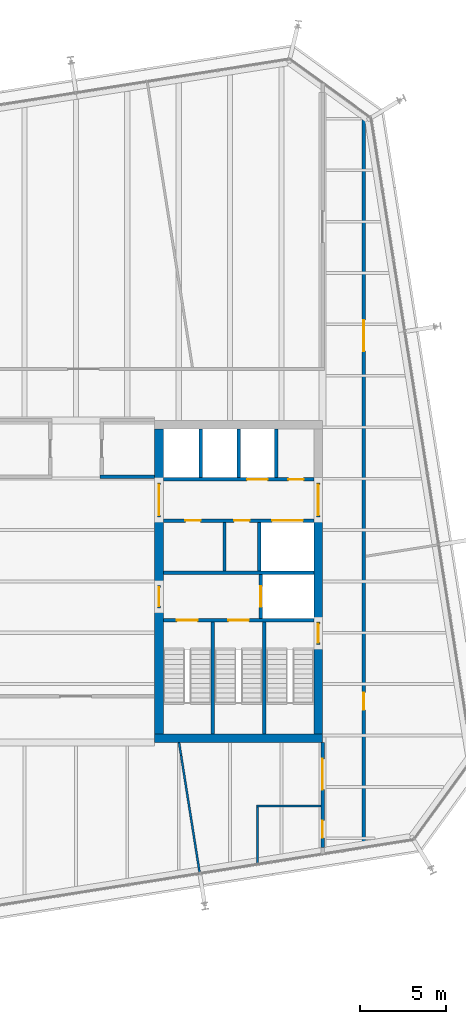
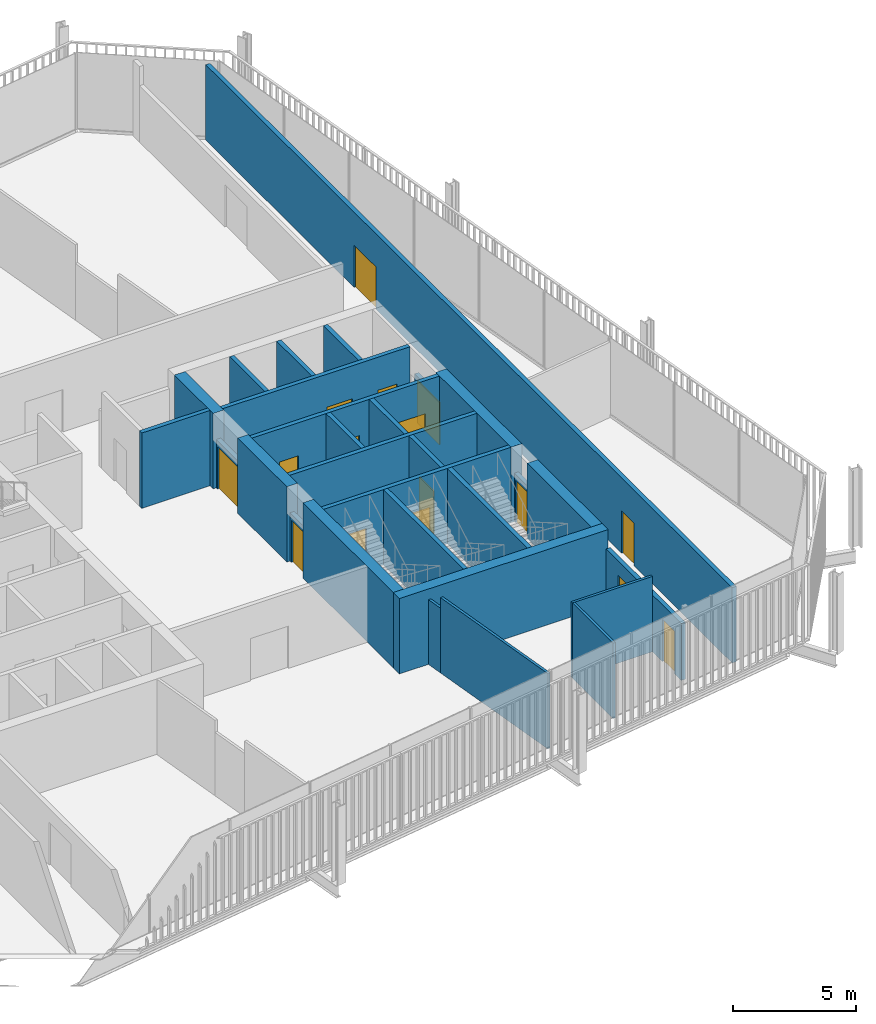
# One storey, part 17 of 20: 29 walls, 16 doors, 16 openings.
"""IFC4 building model written with IfcOpenShell, lengths in metres."""

from ifc_helpers import new_model, si_unit, direction, frame, frame_2d, origin, place, context, subcontext, project, spatial, rectangle, extrude, material, layer, layer_set, type_object, element, fill, save


model = new_model("IFC4")

# Units and contexts
model_context = context("Model", 3, precision=1e-05, world=origin(), true_north=direction((0.0, 1.0)))
body_context = subcontext(model_context, "Body", "Model", "MODEL_VIEW")
ifc_project = project(units=[si_unit("LENGTHUNIT", "METRE"), si_unit("AREAUNIT", "SQUARE_METRE"), si_unit("VOLUMEUNIT", "CUBIC_METRE"), si_unit("PLANEANGLEUNIT", "RADIAN"), si_unit("MASSUNIT", "GRAM", prefix="KILO")], contexts=[model_context])

# Site, building, storey
site_placement = place(None, origin())
site = spatial("IfcSite", under=ifc_project, at=site_placement, CompositionType="ELEMENT")
building_placement = place(site_placement, origin())
building = spatial("IfcBuilding", under=site, at=building_placement, Name="Millrace Tower", CompositionType="ELEMENT")
storey_placement = place(building_placement, frame((0.0, 0.0, 232.0)))
storey = spatial("IfcBuildingStorey", under=building, at=storey_placement, Name="L53", CompositionType="ELEMENT", Elevation=232.0)

# Walls
ifc_material_1 = material(Name="Concrete C60", Category="concrete")
ifc_layer_1 = layer(ifc_material_1, 0.5)
ifc_layer_set_1 = layer_set([ifc_layer_1], Name="Concrete C60")
wall_type_1 = type_object("IfcWallType", Name="Core wall 500 Concrete C60", PredefinedType="SHEAR", material=ifc_layer_set_1)
wall_1_placement = place(storey_placement, frame((14.39990234375, -9.14990234375, 0.0), z_axis=(0.0, 0.0, 1.0), x_axis=(-1.0, 0.0, 0.0)))
element("IfcWall", 1, at=wall_1_placement, inside=storey, type_object=wall_type_1, Name="Core wall E L53", PredefinedType="SHEAR", context=body_context, shape_type="SweptSolid", body=[
    extrude(rectangle(XDim=9.7998046875, YDim=0.5, at=frame_2d((4.89990234375, 0.0))), origin(), (0.0, 0.0, 1.0), 3.739990234375),
])
wall_2_placement = place(storey_placement, frame((14.14990234375, 3.75, 0.0), z_axis=(0.0, 0.0, 1.0), x_axis=(0.0, -1.0, 0.0)))
element("IfcWall", 2, at=wall_2_placement, inside=storey, type_object=wall_type_1, Name="Core wall E L53", PredefinedType="SHEAR", context=body_context, shape_type="SweptSolid", body=[
    extrude(rectangle(XDim=6.1298828125, YDim=0.5, at=frame_2d((3.06494140625, 0.0))), origin(), (0.0, 0.0, 1.0), 3.739990234375),
])
wall_3_placement = place(storey_placement, frame((14.14990234375, -3.679931640625, 0.0), z_axis=(0.0, 0.0, 1.0), x_axis=(0.0, -1.0, 0.0)))
element("IfcWall", 3, at=wall_3_placement, inside=storey, type_object=wall_type_1, Name="Core wall E L53", PredefinedType="SHEAR", context=body_context, shape_type="SweptSolid", body=[
    extrude(rectangle(XDim=5.219970703125, YDim=0.5, at=frame_2d((2.60986328125, 0.0))), origin(), (0.0, 0.0, 1.0), 3.739990234375),
])
wall_4_placement = place(storey_placement, frame((4.85009765625, 8.89990234375, 0.0), z_axis=(0.0, 0.0, 1.0), x_axis=(0.0, -1.0, 0.0)))
element("IfcWall", 4, at=wall_4_placement, inside=storey, type_object=wall_type_1, Name="Core wall E L53", PredefinedType="SHEAR", context=body_context, shape_type="SweptSolid", body=[
    extrude(rectangle(XDim=3.14990234375, YDim=0.5, at=frame_2d((1.574951171875, 0.0))), origin(), (0.0, 0.0, 1.0), 3.739990234375),
])
wall_5_placement = place(storey_placement, frame((4.85009765625, 3.75, 0.0), z_axis=(0.0, 0.0, 1.0), x_axis=(0.0, -1.0, 0.0)))
element("IfcWall", 5, at=wall_5_placement, inside=storey, type_object=wall_type_1, Name="Core wall E L53", PredefinedType="SHEAR", context=body_context, shape_type="SweptSolid", body=[
    extrude(rectangle(XDim=4.0, YDim=0.5, at=frame_2d((2.0, 0.0))), origin(), (0.0, 0.0, 1.0), 3.739990234375),
])
wall_6_placement = place(storey_placement, frame((4.85009765625, -1.550048828125, 0.0), z_axis=(0.0, 0.0, 1.0), x_axis=(0.0, -1.0, 0.0)))
element("IfcWall", 6, at=wall_6_placement, inside=storey, type_object=wall_type_1, Name="Core wall E L53", PredefinedType="SHEAR", context=body_context, shape_type="SweptSolid", body=[
    extrude(rectangle(XDim=7.349853515625, YDim=0.5, at=frame_2d((3.6748046875, 0.0))), origin(), (0.0, 0.0, 1.0), 3.739990234375),
])
ifc_material_2 = material(Name="Masonry partition, fire-rated", Category="masonry")
ifc_layer_2 = layer(ifc_material_2, 0.199951171875)
ifc_layer_set_2 = layer_set([ifc_layer_2], Name="Masonry partition, fire-rated")
wall_type_2 = type_object("IfcWallType", Name="Corridor wall 200", PredefinedType="PARTITIONING", material=ifc_layer_set_2)
wall_7_placement = place(storey_placement, frame((1.39990234375, 6.10009765625, 0.0), z_axis=(0.0, 0.0, 1.0), x_axis=(1.0, 0.0, 0.0)))
element("IfcWall", 7, at=wall_7_placement, inside=storey, type_object=wall_type_2, Name="Corridor wall L53", PredefinedType="PARTITIONING", context=body_context, shape_type="SweptSolid", body=[
    extrude(rectangle(XDim=3.2001953125, YDim=0.199951171875, at=frame_2d((1.60009765625, 0.0))), origin(), (0.0, 0.0, 1.0), 3.739990234375),
])

# Wall, openings, doors
wall_8_placement = place(storey_placement, frame((16.800048828125, -15.494384765625, 0.0), z_axis=(0.0, 0.0, 1.0), x_axis=(0.0, 1.0, 0.0)))
wall_8 = element("IfcWall", 8, at=wall_8_placement, inside=storey, type_object=wall_type_2, Name="Corridor wall L53", PredefinedType="PARTITIONING", context=body_context, shape_type="SweptSolid", body=[
    extrude(rectangle(XDim=42.80859375, YDim=0.199951171875, at=frame_2d((21.404296875, 0.0))), origin(), (0.0, 0.0, 1.0), 3.739990234375),
])
opening_1_placement = place(wall_8_placement, frame((7.994384765625, 0.0, 0.0)))
opening_1 = element("IfcOpeningElement", 9, at=opening_1_placement, cuts=wall_8, Name="Opening 53-P010", PredefinedType="OPENING", context=body_context, shape_type="SweptSolid", body=[
    extrude(rectangle(XDim=1.0, YDim=2.10009765625, at=frame_2d((0.5, 1.050048828125))), frame((0.0, 0.10986328125, 0.0), z_axis=(0.0, -1.0, 0.0), x_axis=(1.0, 0.0, 0.0)), (0.0, 0.0, 1.0), 0.219970703125),
])
opening_2_placement = place(wall_8_placement, frame((28.9423828125, 0.0, 0.0)))
opening_2 = element("IfcOpeningElement", 10, at=opening_2_placement, cuts=wall_8, Name="Opening 53-P011", PredefinedType="OPENING", context=body_context, shape_type="SweptSolid", body=[
    extrude(rectangle(XDim=1.800048828125, YDim=2.10009765625, at=frame_2d((0.89990234375, 1.050048828125))), frame((0.0, 0.10986328125, 0.0), z_axis=(0.0, -1.0, 0.0), x_axis=(1.0, 0.0, 0.0)), (0.0, 0.0, 1.0), 0.219970703125),
])
ifc_material_3 = material(Name="Steel door set, fire-rated", Category="steel")
door_type_1 = type_object("IfcDoorType", Name="Corridor door 1000 x 2100", OperationType="SINGLE_SWING_LEFT", PredefinedType="DOOR", material=ifc_material_3)
door_1_placement = place(opening_1_placement, frame((1.0, 0.0, 0.0), z_axis=(0.0, 0.0, 1.0), x_axis=(-1.0, 0.0, 0.0)))
door_1 = element("IfcDoor", 11, at=door_1_placement, inside=storey, type_object=door_type_1, Name="Door 53-P010", OperationType="SINGLE_SWING_RIGHT", OverallHeight=2.10009765625, OverallWidth=1.0, PredefinedType="DOOR", context=body_context, shape_type="SweptSolid", body=[
    extrude(rectangle(XDim=1.0, YDim=2.10009765625, at=frame_2d((0.5, 1.050048828125))), frame((0.0, 0.02490234375, 0.0), z_axis=(0.0, -1.0, 0.0), x_axis=(1.0, 0.0, 0.0)), (0.0, 0.0, 1.0), 0.050048828125),
])
fill(opening_1, door_1)
ifc_material_4 = material(Name="Steel door set, fire-rated", Category="steel")
door_type_2 = type_object("IfcDoorType", Name="Corridor door 1800 x 2100", OperationType="DOUBLE_DOOR_SINGLE_SWING", PredefinedType="DOOR", material=ifc_material_4)
door_2_placement = place(opening_2_placement, frame((1.800048828125, 0.0, 0.0), z_axis=(0.0, 0.0, 1.0), x_axis=(-1.0, 0.0, 0.0)))
door_2 = element("IfcDoor", 12, at=door_2_placement, inside=storey, type_object=door_type_2, Name="Door 53-P011", OperationType="DOUBLE_DOOR_SINGLE_SWING", OverallHeight=2.10009765625, OverallWidth=1.800048828125, PredefinedType="DOOR", context=body_context, shape_type="SweptSolid", body=[
    extrude(rectangle(XDim=1.800048828125, YDim=2.10009765625, at=frame_2d((0.89990234375, 1.050048828125))), frame((0.0, 0.02490234375, 0.0), z_axis=(0.0, -1.0, 0.0), x_axis=(1.0, 0.0, 0.0)), (0.0, 0.0, 1.0), 0.050048828125),
])
fill(opening_2, door_2)

wall_9_placement = place(storey_placement, frame((14.39990234375, -15.52490234375, 0.0), z_axis=(0.0, 0.0, 1.0), x_axis=(0.0, 1.0, 0.0)))
wall_9 = element("IfcWall", 13, at=wall_9_placement, inside=storey, type_object=wall_type_2, Name="Corridor wall L53", PredefinedType="PARTITIONING", context=body_context, shape_type="SweptSolid", body=[
    extrude(rectangle(XDim=6.125, YDim=0.199951171875, at=frame_2d((3.0625, 0.0))), origin(), (0.0, 0.0, 1.0), 2.81298828125),
])
opening_3_placement = place(wall_9_placement, frame((3.363037109375, 0.0, 0.0)))
opening_3 = element("IfcOpeningElement", 14, at=opening_3_placement, cuts=wall_9, Name="Opening 53-P014", PredefinedType="OPENING", context=body_context, shape_type="SweptSolid", body=[
    extrude(rectangle(XDim=1.800048828125, YDim=2.10009765625, at=frame_2d((0.89990234375, 1.050048828125))), frame((0.0, 0.10986328125, 0.0), z_axis=(0.0, -1.0, 0.0), x_axis=(1.0, 0.0, 0.0)), (0.0, 0.0, 1.0), 0.219970703125),
])
opening_4_placement = place(wall_9_placement, frame((0.551025390625, 0.0, 0.0)))
opening_4 = element("IfcOpeningElement", 15, at=opening_4_placement, cuts=wall_9, Name="Opening 53-P015", PredefinedType="OPENING", context=body_context, shape_type="SweptSolid", body=[
    extrude(rectangle(XDim=1.0, YDim=2.10009765625, at=frame_2d((0.5, 1.050048828125))), frame((0.0, 0.10986328125, 0.0), z_axis=(0.0, -1.0, 0.0), x_axis=(1.0, 0.0, 0.0)), (0.0, 0.0, 1.0), 0.219970703125),
])
door_3_placement = place(opening_4_placement, origin())
door_3 = element("IfcDoor", 16, at=door_3_placement, inside=storey, type_object=door_type_1, Name="Door 53-P015", OperationType="SINGLE_SWING_LEFT", OverallHeight=2.10009765625, OverallWidth=1.0, PredefinedType="DOOR", context=body_context, shape_type="SweptSolid", body=[
    extrude(rectangle(XDim=1.0, YDim=2.10009765625, at=frame_2d((0.5, 1.050048828125))), frame((0.0, 0.02490234375, 0.0), z_axis=(0.0, -1.0, 0.0), x_axis=(1.0, 0.0, 0.0)), (0.0, 0.0, 1.0), 0.050048828125),
])
fill(opening_4, door_3)
door_4_placement = place(opening_3_placement, origin())
door_4 = element("IfcDoor", 17, at=door_4_placement, inside=storey, type_object=door_type_2, Name="Door 53-P014", OperationType="DOUBLE_DOOR_SINGLE_SWING", OverallHeight=2.10009765625, OverallWidth=1.800048828125, PredefinedType="DOOR", context=body_context, shape_type="SweptSolid", body=[
    extrude(rectangle(XDim=1.800048828125, YDim=2.10009765625, at=frame_2d((0.89990234375, 1.050048828125))), frame((0.0, 0.02490234375, 0.0), z_axis=(0.0, -1.0, 0.0), x_axis=(1.0, 0.0, 0.0)), (0.0, 0.0, 1.0), 0.050048828125),
])
fill(opening_3, door_4)

ifc_material_5 = material(Name="Masonry partition, fire-rated", Category="masonry")
ifc_layer_3 = layer(ifc_material_5, 0.199951171875)
ifc_layer_set_3 = layer_set([ifc_layer_3], Name="Masonry partition, fire-rated")
wall_type_3 = type_object("IfcWallType", Name="Lift shaft wall 200", PredefinedType="PARTITIONING", material=ifc_layer_set_3)
wall_10_placement = place(storey_placement, frame((13.89990234375, 5.949951171875, 0.0), z_axis=(0.0, 0.0, 1.0), x_axis=(-1.0, 0.0, 0.0)))
wall_10 = element("IfcWall", 18, at=wall_10_placement, inside=storey, type_object=wall_type_3, Name="Lift shaft wall E L53", PredefinedType="PARTITIONING", context=body_context, shape_type="SweptSolid", body=[
    extrude(rectangle(XDim=8.7998046875, YDim=0.199951171875, at=frame_2d((4.39990234375, 0.0))), origin(), (0.0, 0.0, 1.0), 3.739990234375),
])
opening_5_placement = place(wall_10_placement, frame((2.699951171875, 0.0, 0.0)))
opening_5 = element("IfcOpeningElement", 19, at=opening_5_placement, cuts=wall_10, Name="Opening 53-LD10", PredefinedType="OPENING", context=body_context, shape_type="SweptSolid", body=[
    extrude(rectangle(XDim=1.199951171875, YDim=2.10009765625, at=frame_2d((0.60009765625, 1.050048828125))), frame((0.0, 0.10986328125, 0.0), z_axis=(0.0, -1.0, 0.0), x_axis=(1.0, 0.0, 0.0)), (0.0, 0.0, 1.0), 0.219970703125),
])
opening_6_placement = place(wall_10_placement, frame((0.60009765625, 0.0, 0.0)))
opening_6 = element("IfcOpeningElement", 20, at=opening_6_placement, cuts=wall_10, Name="Opening 53-C014", PredefinedType="OPENING", context=body_context, shape_type="SweptSolid", body=[
    extrude(rectangle(XDim=0.89990234375, YDim=2.10009765625, at=frame_2d((0.449951171875, 1.050048828125))), frame((0.0, 0.10986328125, 0.0), z_axis=(0.0, -1.0, 0.0), x_axis=(1.0, 0.0, 0.0)), (0.0, 0.0, 1.0), 0.219970703125),
])
ifc_material_6 = material(Name="Stainless steel, fire-rated", Category="steel")
door_type_3 = type_object("IfcDoorType", Name="Lift landing door 1200 x 2100", OperationType="DOUBLE_DOOR_SLIDING", PredefinedType="DOOR", material=ifc_material_6)
door_5_placement = place(opening_5_placement, origin())
door_5 = element("IfcDoor", 21, at=door_5_placement, inside=storey, type_object=door_type_3, Name="Lift landing door LF10 L53", OperationType="DOUBLE_DOOR_SLIDING", OverallHeight=2.10009765625, OverallWidth=1.199951171875, PredefinedType="DOOR", context=body_context, shape_type="SweptSolid", body=[
    extrude(rectangle(XDim=1.199951171875, YDim=2.10009765625, at=frame_2d((0.60009765625, 1.050048828125))), frame((0.0, 0.02490234375, 0.0), z_axis=(0.0, -1.0, 0.0), x_axis=(1.0, 0.0, 0.0)), (0.0, 0.0, 1.0), 0.050048828125),
])
fill(opening_5, door_5)
ifc_material_7 = material(Name="Steel door, fire-rated", Category="steel")
door_type_4 = type_object("IfcDoorType", Name="Service room door 900 x 2100", OperationType="SINGLE_SWING_LEFT", PredefinedType="DOOR", material=ifc_material_7)
door_6_placement = place(opening_6_placement, frame((0.89990234375, 0.0, 0.0), z_axis=(0.0, 0.0, 1.0), x_axis=(-1.0, 0.0, 0.0)))
door_6 = element("IfcDoor", 22, at=door_6_placement, inside=storey, type_object=door_type_4, Name="Service room door 53-C014", OperationType="SINGLE_SWING_RIGHT", OverallHeight=2.10009765625, OverallWidth=0.89990234375, PredefinedType="DOOR", context=body_context, shape_type="SweptSolid", body=[
    extrude(rectangle(XDim=0.89990234375, YDim=2.10009765625, at=frame_2d((0.449951171875, 1.050048828125))), frame((0.0, 0.02490234375, 0.0), z_axis=(0.0, -1.0, 0.0), x_axis=(1.0, 0.0, 0.0)), (0.0, 0.0, 1.0), 0.050048828125),
])
fill(opening_6, door_6)

wall_11_placement = place(storey_placement, frame((13.89990234375, 3.550048828125, 0.0), z_axis=(0.0, 0.0, 1.0), x_axis=(-1.0, 0.0, 0.0)))
wall_11 = element("IfcWall", 23, at=wall_11_placement, inside=storey, type_object=wall_type_3, Name="Lift shaft wall E L53", PredefinedType="PARTITIONING", context=body_context, shape_type="SweptSolid", body=[
    extrude(rectangle(XDim=8.7998046875, YDim=0.199951171875, at=frame_2d((4.39990234375, 0.0))), origin(), (0.0, 0.0, 1.0), 3.739990234375),
])
opening_7_placement = place(wall_11_placement, frame((0.64990234375, 0.0, 0.0)))
opening_7 = element("IfcOpeningElement", 24, at=opening_7_placement, cuts=wall_11, Name="Opening 53-LD13", PredefinedType="OPENING", context=body_context, shape_type="SweptSolid", body=[
    extrude(rectangle(XDim=1.800048828125, YDim=2.10009765625, at=frame_2d((0.89990234375, 1.050048828125))), frame((0.0, 0.10986328125, 0.0), z_axis=(0.0, -1.0, 0.0), x_axis=(1.0, 0.0, 0.0)), (0.0, 0.0, 1.0), 0.219970703125),
])
opening_8_placement = place(wall_11_placement, frame((3.762451171875, 0.0, 0.0)))
opening_8 = element("IfcOpeningElement", 25, at=opening_8_placement, cuts=wall_11, Name="Opening 53-C015", PredefinedType="OPENING", context=body_context, shape_type="SweptSolid", body=[
    extrude(rectangle(XDim=0.89990234375, YDim=2.10009765625, at=frame_2d((0.449951171875, 1.050048828125))), frame((0.0, 0.10986328125, 0.0), z_axis=(0.0, -1.0, 0.0), x_axis=(1.0, 0.0, 0.0)), (0.0, 0.0, 1.0), 0.219970703125),
])
opening_9_placement = place(wall_11_placement, frame((6.612548828125, 0.0, 0.0)))
opening_9 = element("IfcOpeningElement", 26, at=opening_9_placement, cuts=wall_11, Name="Opening 53-C016", PredefinedType="OPENING", context=body_context, shape_type="SweptSolid", body=[
    extrude(rectangle(XDim=0.89990234375, YDim=2.10009765625, at=frame_2d((0.449951171875, 1.050048828125))), frame((0.0, 0.10986328125, 0.0), z_axis=(0.0, -1.0, 0.0), x_axis=(1.0, 0.0, 0.0)), (0.0, 0.0, 1.0), 0.219970703125),
])
ifc_material_8 = material(Name="Stainless steel, fire-rated", Category="steel")
door_type_5 = type_object("IfcDoorType", Name="Lift landing door 1800 x 2100", OperationType="DOUBLE_DOOR_SLIDING", PredefinedType="DOOR", material=ifc_material_8)
door_7_placement = place(opening_7_placement, origin())
door_7 = element("IfcDoor", 27, at=door_7_placement, inside=storey, type_object=door_type_5, Name="Lift landing door LF13 L53", OperationType="DOUBLE_DOOR_SLIDING", OverallHeight=2.10009765625, OverallWidth=1.800048828125, PredefinedType="DOOR", context=body_context, shape_type="SweptSolid", body=[
    extrude(rectangle(XDim=1.800048828125, YDim=2.10009765625, at=frame_2d((0.89990234375, 1.050048828125))), frame((0.0, 0.02490234375, 0.0), z_axis=(0.0, -1.0, 0.0), x_axis=(1.0, 0.0, 0.0)), (0.0, 0.0, 1.0), 0.050048828125),
])
fill(opening_7, door_7)
door_8_placement = place(opening_8_placement, origin())
door_8 = element("IfcDoor", 28, at=door_8_placement, inside=storey, type_object=door_type_4, Name="Service room door 53-C015", OperationType="SINGLE_SWING_LEFT", OverallHeight=2.10009765625, OverallWidth=0.89990234375, PredefinedType="DOOR", context=body_context, shape_type="SweptSolid", body=[
    extrude(rectangle(XDim=0.89990234375, YDim=2.10009765625, at=frame_2d((0.449951171875, 1.050048828125))), frame((0.0, 0.02490234375, 0.0), z_axis=(0.0, -1.0, 0.0), x_axis=(1.0, 0.0, 0.0)), (0.0, 0.0, 1.0), 0.050048828125),
])
fill(opening_8, door_8)
door_9_placement = place(opening_9_placement, origin())
door_9 = element("IfcDoor", 29, at=door_9_placement, inside=storey, type_object=door_type_4, Name="Service room door 53-C016", OperationType="SINGLE_SWING_RIGHT", OverallHeight=2.10009765625, OverallWidth=0.89990234375, PredefinedType="DOOR", context=body_context, shape_type="SweptSolid", body=[
    extrude(rectangle(XDim=0.89990234375, YDim=2.10009765625, at=frame_2d((0.449951171875, 1.050048828125))), frame((0.0, 0.02490234375, 0.0), z_axis=(0.0, -1.0, 0.0), x_axis=(1.0, 0.0, 0.0)), (0.0, 0.0, 1.0), 0.050048828125),
])
fill(opening_9, door_9)

# Wall
wall_12_placement = place(storey_placement, frame((13.89990234375, 0.5, 0.0), z_axis=(0.0, 0.0, 1.0), x_axis=(-1.0, 0.0, 0.0)))
element("IfcWall", 30, at=wall_12_placement, inside=storey, type_object=wall_type_3, Name="Lift shaft wall E L53", PredefinedType="PARTITIONING", context=body_context, shape_type="SweptSolid", body=[
    extrude(rectangle(XDim=8.7998046875, YDim=0.199951171875, at=frame_2d((4.39990234375, 0.0))), origin(), (0.0, 0.0, 1.0), 3.739990234375),
])

# Wall, opening, door
wall_13_placement = place(storey_placement, frame((10.800048828125, 0.39990234375, 0.0), z_axis=(0.0, 0.0, 1.0), x_axis=(0.0, -1.0, 0.0)))
wall_13 = element("IfcWall", 31, at=wall_13_placement, inside=storey, type_object=wall_type_3, Name="Lift shaft wall E L53", PredefinedType="PARTITIONING", context=body_context, shape_type="SweptSolid", body=[
    extrude(rectangle(XDim=2.579833984375, YDim=0.199951171875, at=frame_2d((1.2900390625, 0.0))), origin(), (0.0, 0.0, 1.0), 3.739990234375),
])
opening_10_placement = place(wall_13_placement, frame((0.68994140625, 0.0, 0.0)))
opening_10 = element("IfcOpeningElement", 32, at=opening_10_placement, cuts=wall_13, Name="Opening 53-LD16", PredefinedType="OPENING", context=body_context, shape_type="SweptSolid", body=[
    extrude(rectangle(XDim=1.199951171875, YDim=2.10009765625, at=frame_2d((0.60009765625, 1.050048828125))), frame((0.0, 0.10986328125, 0.0), z_axis=(0.0, -1.0, 0.0), x_axis=(1.0, 0.0, 0.0)), (0.0, 0.0, 1.0), 0.219970703125),
])
door_10_placement = place(opening_10_placement, origin())
door_10 = element("IfcDoor", 33, at=door_10_placement, inside=storey, type_object=door_type_3, Name="Lift landing door LF16 L53", OperationType="DOUBLE_DOOR_SLIDING", OverallHeight=2.10009765625, OverallWidth=1.199951171875, PredefinedType="DOOR", context=body_context, shape_type="SweptSolid", body=[
    extrude(rectangle(XDim=1.199951171875, YDim=2.10009765625, at=frame_2d((0.60009765625, 1.050048828125))), frame((0.0, 0.02490234375, 0.0), z_axis=(0.0, -1.0, 0.0), x_axis=(1.0, 0.0, 0.0)), (0.0, 0.0, 1.0), 0.050048828125),
])
fill(opening_10, door_10)

# Walls
for number, where, z_axis, x_axis, name in (
    (34, (11.699951171875, 8.89990234375, 0.0), (0.0, 0.0, 1.0), (0.0, -1.0, 0.0), "Lift shaft wall E L53"),
    (35, (9.5, 8.89990234375, 0.0), (0.0, 0.0, 1.0), (0.0, -1.0, 0.0), "Lift shaft wall E L53"),
    (36, (7.300048828125, 8.89990234375, 0.0), (0.0, 0.0, 1.0), (0.0, -1.0, 0.0), "Lift shaft wall E L53"),
    (37, (10.699951171875, 3.449951171875, 0.0), (0.0, 0.0, 1.0), (0.0, -1.0, 0.0), "Lift shaft wall E L53"),
):
    element("IfcWall", number, at=place(storey_placement, frame(where, z_axis=z_axis, x_axis=x_axis)), inside=storey, type_object=wall_type_3, Name=name, PredefinedType="PARTITIONING", context=body_context, shape_type="SweptSolid", body=[
        extrude(rectangle(XDim=2.849853515625, YDim=0.199951171875, at=frame_2d((1.4248046875, 0.0))), origin(), (0.0, 0.0, 1.0), 3.739990234375),
    ])

# Wall, opening, door
ifc_material_9 = material(Name="Masonry partition, fire-rated", Category="masonry")
ifc_layer_4 = layer(ifc_material_9, 0.199951171875)
ifc_layer_set_4 = layer_set([ifc_layer_4], Name="Masonry partition, fire-rated")
wall_type_4 = type_object("IfcWallType", Name="Lobby wall 200", PredefinedType="PARTITIONING", material=ifc_layer_set_4)
wall_14_placement = place(storey_placement, frame((14.14990234375, 5.75, 0.0), z_axis=(0.0, 0.0, 1.0), x_axis=(0.0, -1.0, 0.0)))
wall_14 = element("IfcWall", 38, at=wall_14_placement, inside=storey, type_object=wall_type_4, Name="Lobby wall E L53", PredefinedType="PARTITIONING", context=body_context, shape_type="SweptSolid", body=[
    extrude(rectangle(XDim=2.0, YDim=0.199951171875, at=frame_2d((1.0, 0.0))), origin(), (0.0, 0.0, 1.0), 2.39990234375),
])
opening_11_placement = place(wall_14_placement, frame((0.10009765625, 0.0, 0.0)))
opening_11 = element("IfcOpeningElement", 39, at=opening_11_placement, cuts=wall_14, Name="Opening 53-C010", PredefinedType="OPENING", context=body_context, shape_type="SweptSolid", body=[
    extrude(rectangle(XDim=1.800048828125, YDim=2.10009765625, at=frame_2d((0.89990234375, 1.050048828125))), frame((0.0, 0.10986328125, 0.0), z_axis=(0.0, -1.0, 0.0), x_axis=(1.0, 0.0, 0.0)), (0.0, 0.0, 1.0), 0.219970703125),
])
ifc_material_10 = material(Name="Steel door, fire-rated", Category="steel")
door_type_6 = type_object("IfcDoorType", Name="Lobby door 1800 x 2100", OperationType="DOUBLE_DOOR_SINGLE_SWING", PredefinedType="DOOR", material=ifc_material_10)
door_11_placement = place(opening_11_placement, origin())
door_11 = element("IfcDoor", 40, at=door_11_placement, inside=storey, type_object=door_type_6, Name="Lobby door 53-C010", OperationType="DOUBLE_DOOR_SINGLE_SWING", OverallHeight=2.10009765625, OverallWidth=1.800048828125, PredefinedType="DOOR", context=body_context, shape_type="SweptSolid", body=[
    extrude(rectangle(XDim=1.800048828125, YDim=2.10009765625, at=frame_2d((0.89990234375, 1.050048828125))), frame((0.0, 0.02490234375, 0.0), z_axis=(0.0, -1.0, 0.0), x_axis=(1.0, 0.0, 0.0)), (0.0, 0.0, 1.0), 0.050048828125),
])
fill(opening_11, door_11)

wall_15_placement = place(storey_placement, frame((4.85009765625, 5.75, 0.0), z_axis=(0.0, 0.0, 1.0), x_axis=(0.0, -1.0, 0.0)))
wall_15 = element("IfcWall", 41, at=wall_15_placement, inside=storey, type_object=wall_type_4, Name="Lobby wall E L53", PredefinedType="PARTITIONING", context=body_context, shape_type="SweptSolid", body=[
    extrude(rectangle(XDim=2.0, YDim=0.199951171875, at=frame_2d((1.0, 0.0))), origin(), (0.0, 0.0, 1.0), 2.39990234375),
])
opening_12_placement = place(wall_15_placement, frame((0.10009765625, 0.0, 0.0)))
opening_12 = element("IfcOpeningElement", 42, at=opening_12_placement, cuts=wall_15, Name="Opening 53-C012", PredefinedType="OPENING", context=body_context, shape_type="SweptSolid", body=[
    extrude(rectangle(XDim=1.800048828125, YDim=2.10009765625, at=frame_2d((0.89990234375, 1.050048828125))), frame((0.0, 0.10986328125, 0.0), z_axis=(0.0, -1.0, 0.0), x_axis=(1.0, 0.0, 0.0)), (0.0, 0.0, 1.0), 0.219970703125),
])
door_12_placement = place(opening_12_placement, frame((1.800048828125, 0.0, 0.0), z_axis=(0.0, 0.0, 1.0), x_axis=(-1.0, 0.0, 0.0)))
door_12 = element("IfcDoor", 43, at=door_12_placement, inside=storey, type_object=door_type_6, Name="Lobby door 53-C012", OperationType="DOUBLE_DOOR_SINGLE_SWING", OverallHeight=2.10009765625, OverallWidth=1.800048828125, PredefinedType="DOOR", context=body_context, shape_type="SweptSolid", body=[
    extrude(rectangle(XDim=1.800048828125, YDim=2.10009765625, at=frame_2d((0.89990234375, 1.050048828125))), frame((0.0, 0.02490234375, 0.0), z_axis=(0.0, -1.0, 0.0), x_axis=(1.0, 0.0, 0.0)), (0.0, 0.0, 1.0), 0.050048828125),
])
fill(opening_12, door_12)

wall_16_placement = place(storey_placement, frame((4.85009765625, -0.25, 0.0), z_axis=(0.0, 0.0, 1.0), x_axis=(0.0, -1.0, 0.0)))
wall_16 = element("IfcWall", 44, at=wall_16_placement, inside=storey, type_object=wall_type_4, Name="Lobby wall E L53", PredefinedType="PARTITIONING", context=body_context, shape_type="SweptSolid", body=[
    extrude(rectangle(XDim=1.300048828125, YDim=0.199951171875, at=frame_2d((0.64990234375, 0.0))), origin(), (0.0, 0.0, 1.0), 2.39990234375),
])
opening_13_placement = place(wall_16_placement, frame((0.10009765625, 0.0, 0.0)))
opening_13 = element("IfcOpeningElement", 45, at=opening_13_placement, cuts=wall_16, Name="Opening 53-C013", PredefinedType="OPENING", context=body_context, shape_type="SweptSolid", body=[
    extrude(rectangle(XDim=1.10009765625, YDim=2.10009765625, at=frame_2d((0.550048828125, 1.050048828125))), frame((0.0, 0.10986328125, 0.0), z_axis=(0.0, -1.0, 0.0), x_axis=(1.0, 0.0, 0.0)), (0.0, 0.0, 1.0), 0.219970703125),
])
ifc_material_11 = material(Name="Steel door, fire-rated", Category="steel")
door_type_7 = type_object("IfcDoorType", Name="Lobby door 1100 x 2100", OperationType="SINGLE_SWING_LEFT", PredefinedType="DOOR", material=ifc_material_11)
door_13_placement = place(opening_13_placement, frame((1.10009765625, 0.0, 0.0), z_axis=(0.0, 0.0, 1.0), x_axis=(-1.0, 0.0, 0.0)))
door_13 = element("IfcDoor", 46, at=door_13_placement, inside=storey, type_object=door_type_7, Name="Lobby door 53-C013", OperationType="SINGLE_SWING_LEFT", OverallHeight=2.10009765625, OverallWidth=1.10009765625, PredefinedType="DOOR", context=body_context, shape_type="SweptSolid", body=[
    extrude(rectangle(XDim=1.10009765625, YDim=2.10009765625, at=frame_2d((0.550048828125, 1.050048828125))), frame((0.0, 0.02490234375, 0.0), z_axis=(0.0, -1.0, 0.0), x_axis=(1.0, 0.0, 0.0)), (0.0, 0.0, 1.0), 0.050048828125),
])
fill(opening_13, door_13)

# Walls
ifc_material_12 = material(Name="Gypsum board partition")
ifc_layer_5 = layer(ifc_material_12, 0.1201171875)
ifc_layer_set_5 = layer_set([ifc_layer_5], Name="Gypsum board partition")
wall_type_5 = type_object("IfcWallType", Name="Partition wall 120", PredefinedType="PARTITIONING", material=ifc_layer_set_5)
wall_17_placement = place(storey_placement, frame((6.02001953125, -9.39990234375, 0.0), z_axis=(0.0, 0.0, 1.0), x_axis=(0.1563648424, -0.987699365223, 0.0)))
element("IfcWall", 47, at=wall_17_placement, inside=storey, type_object=wall_type_5, Name="Partition wall L53", PredefinedType="PARTITIONING", context=body_context, shape_type="SweptSolid", body=[
    extrude(rectangle(XDim=0.779052734375, YDim=0.1201171875, at=frame_2d((0.3896484375, 0.0))), origin(), (0.0, 0.0, 1.0), 3.214111328125),
])
wall_18_placement = place(storey_placement, frame((6.141845703125, -10.16943359375, 0.0), z_axis=(0.0, 0.0, 1.0), x_axis=(0.156351697361, -0.987701446153, 0.0)))
element("IfcWall", 48, at=wall_18_placement, inside=storey, type_object=wall_type_5, Name="Partition wall L53", PredefinedType="PARTITIONING", context=body_context, shape_type="SweptSolid", body=[
    extrude(rectangle(XDim=6.9267578125, YDim=0.1201171875, at=frame_2d((3.46337890625, 0.0))), origin(), (0.0, 0.0, 1.0), 3.739990234375),
])
wall_19_placement = place(storey_placement, frame((10.5400390625, -13.1240234375, 0.0), z_axis=(0.0, 0.0, 1.0), x_axis=(1.0, 0.0, 0.0)))
element("IfcWall", 49, at=wall_19_placement, inside=storey, type_object=wall_type_5, Name="Partition wall L53", PredefinedType="PARTITIONING", context=body_context, shape_type="SweptSolid", body=[
    extrude(rectangle(XDim=3.760009765625, YDim=0.1201171875, at=frame_2d((1.8798828125, 0.0))), origin(), (0.0, 0.0, 1.0), 3.739990234375),
])
wall_20_placement = place(storey_placement, frame((10.60009765625, -16.476318359375, 0.0), z_axis=(0.0, 0.0, 1.0), x_axis=(0.0, 1.0, 0.0)))
element("IfcWall", 50, at=wall_20_placement, inside=storey, type_object=wall_type_5, Name="Partition wall L53", PredefinedType="PARTITIONING", context=body_context, shape_type="SweptSolid", body=[
    extrude(rectangle(XDim=3.292236328125, YDim=0.1201171875, at=frame_2d((1.64599609375, 0.0))), origin(), (0.0, 0.0, 1.0), 3.739990234375),
])
ifc_material_13 = material(Name="Masonry partition, fire-rated", Category="masonry")
ifc_layer_6 = layer(ifc_material_13, 0.199951171875)
ifc_layer_set_6 = layer_set([ifc_layer_6], Name="Masonry partition, fire-rated")
wall_type_6 = type_object("IfcWallType", Name="Room partition 200", PredefinedType="PARTITIONING", material=ifc_layer_set_6)
wall_21_placement = place(storey_placement, frame((8.675048828125, 3.449951171875, 0.0), z_axis=(0.0, 0.0, 1.0), x_axis=(0.0, -1.0, 0.0)))
element("IfcWall", 51, at=wall_21_placement, inside=storey, type_object=wall_type_6, Name="Room partition E L53", PredefinedType="PARTITIONING", context=body_context, shape_type="SweptSolid", body=[
    extrude(rectangle(XDim=2.849853515625, YDim=0.199951171875, at=frame_2d((1.4248046875, 0.0))), origin(), (0.0, 0.0, 1.0), 3.739990234375),
])

# Wall, opening, door
ifc_material_14 = material(Name="Concrete C40", Category="concrete")
ifc_layer_7 = layer(ifc_material_14, 0.199951171875)
ifc_layer_set_7 = layer_set([ifc_layer_7], Name="Concrete C40")
wall_type_7 = type_object("IfcWallType", Name="Stair enclosure wall 200 Concrete C40", PredefinedType="SHEAR", material=ifc_layer_set_7)
wall_22_placement = place(storey_placement, frame((14.14990234375, -2.3798828125, 0.0), z_axis=(0.0, 0.0, 1.0), x_axis=(0.0, -1.0, 0.0)))
wall_22 = element("IfcWall", 52, at=wall_22_placement, inside=storey, type_object=wall_type_7, Name="Stair enclosure wall E L53", PredefinedType="SHEAR", context=body_context, shape_type="SweptSolid", body=[
    extrude(rectangle(XDim=1.300048828125, YDim=0.199951171875, at=frame_2d((0.64990234375, 0.0))), origin(), (0.0, 0.0, 1.0), 2.39990234375),
])
opening_14_placement = place(wall_22_placement, frame((0.10009765625, 0.0, 0.0)))
opening_14 = element("IfcOpeningElement", 53, at=opening_14_placement, cuts=wall_22, Name="Opening 53-C011", PredefinedType="OPENING", context=body_context, shape_type="SweptSolid", body=[
    extrude(rectangle(XDim=1.10009765625, YDim=2.10009765625, at=frame_2d((0.550048828125, 1.050048828125))), frame((0.0, 0.10986328125, 0.0), z_axis=(0.0, -1.0, 0.0), x_axis=(1.0, 0.0, 0.0)), (0.0, 0.0, 1.0), 0.219970703125),
])
ifc_material_15 = material(Name="Steel door, fire-rated", Category="steel")
door_type_8 = type_object("IfcDoorType", Name="Stair door 1100 x 2100", OperationType="SINGLE_SWING_LEFT", PredefinedType="DOOR", material=ifc_material_15)
door_14_placement = place(opening_14_placement, origin())
door_14 = element("IfcDoor", 54, at=door_14_placement, inside=storey, type_object=door_type_8, Name="Stair door 53-C011", OperationType="SINGLE_SWING_RIGHT", OverallHeight=2.10009765625, OverallWidth=1.10009765625, PredefinedType="DOOR", context=body_context, shape_type="SweptSolid", body=[
    extrude(rectangle(XDim=1.10009765625, YDim=2.10009765625, at=frame_2d((0.550048828125, 1.050048828125))), frame((0.0, 0.02490234375, 0.0), z_axis=(0.0, -1.0, 0.0), x_axis=(1.0, 0.0, 0.0)), (0.0, 0.0, 1.0), 0.050048828125),
])
fill(opening_14, door_14)

# Wall, openings, doors
wall_23_placement = place(storey_placement, frame((13.89990234375, -2.280029296875, 0.0), z_axis=(0.0, 0.0, 1.0), x_axis=(-1.0, 0.0, 0.0)))
wall_23 = element("IfcWall", 55, at=wall_23_placement, inside=storey, type_object=wall_type_7, Name="Stair enclosure wall E L53", PredefinedType="SHEAR", context=body_context, shape_type="SweptSolid", body=[
    extrude(rectangle(XDim=8.7998046875, YDim=0.199951171875, at=frame_2d((4.39990234375, 0.0))), origin(), (0.0, 0.0, 1.0), 3.739990234375),
])
opening_15_placement = place(wall_23_placement, frame((3.800048828125, 0.0, 0.0)))
opening_15 = element("IfcOpeningElement", 56, at=opening_15_placement, cuts=wall_23, Name="Opening 53-C017", PredefinedType="OPENING", context=body_context, shape_type="SweptSolid", body=[
    extrude(rectangle(XDim=1.199951171875, YDim=2.10009765625, at=frame_2d((0.60009765625, 1.050048828125))), frame((0.0, 0.10986328125, 0.0), z_axis=(0.0, -1.0, 0.0), x_axis=(1.0, 0.0, 0.0)), (0.0, 0.0, 1.0), 0.219970703125),
])
opening_16_placement = place(wall_23_placement, frame((6.800048828125, 0.0, 0.0)))
opening_16 = element("IfcOpeningElement", 57, at=opening_16_placement, cuts=wall_23, Name="Opening 53-C018", PredefinedType="OPENING", context=body_context, shape_type="SweptSolid", body=[
    extrude(rectangle(XDim=1.199951171875, YDim=2.10009765625, at=frame_2d((0.60009765625, 1.050048828125))), frame((0.0, 0.10986328125, 0.0), z_axis=(0.0, -1.0, 0.0), x_axis=(1.0, 0.0, 0.0)), (0.0, 0.0, 1.0), 0.219970703125),
])
ifc_material_16 = material(Name="Steel door, fire-rated", Category="steel")
door_type_9 = type_object("IfcDoorType", Name="Stair door 1200 x 2100", OperationType="SINGLE_SWING_LEFT", PredefinedType="DOOR", material=ifc_material_16)
door_15_placement = place(opening_15_placement, frame((1.199951171875, 0.0, 0.0), z_axis=(0.0, 0.0, 1.0), x_axis=(-1.0, 0.0, 0.0)))
door_15 = element("IfcDoor", 58, at=door_15_placement, inside=storey, type_object=door_type_9, Name="Stair door 53-C017", OperationType="SINGLE_SWING_LEFT", OverallHeight=2.10009765625, OverallWidth=1.199951171875, PredefinedType="DOOR", context=body_context, shape_type="SweptSolid", body=[
    extrude(rectangle(XDim=1.199951171875, YDim=2.10009765625, at=frame_2d((0.60009765625, 1.050048828125))), frame((0.0, 0.02490234375, 0.0), z_axis=(0.0, -1.0, 0.0), x_axis=(1.0, 0.0, 0.0)), (0.0, 0.0, 1.0), 0.050048828125),
])
fill(opening_15, door_15)
door_16_placement = place(opening_16_placement, frame((1.199951171875, 0.0, 0.0), z_axis=(0.0, 0.0, 1.0), x_axis=(-1.0, 0.0, 0.0)))
door_16 = element("IfcDoor", 59, at=door_16_placement, inside=storey, type_object=door_type_9, Name="Stair door 53-C018", OperationType="SINGLE_SWING_LEFT", OverallHeight=2.10009765625, OverallWidth=1.199951171875, PredefinedType="DOOR", context=body_context, shape_type="SweptSolid", body=[
    extrude(rectangle(XDim=1.199951171875, YDim=2.10009765625, at=frame_2d((0.60009765625, 1.050048828125))), frame((0.0, 0.02490234375, 0.0), z_axis=(0.0, -1.0, 0.0), x_axis=(1.0, 0.0, 0.0)), (0.0, 0.0, 1.0), 0.050048828125),
])
fill(opening_16, door_16)

# Walls
for number, where, z_axis, x_axis, name in (
    (60, (11.0, -2.3798828125, 0.0), (0.0, 0.0, 1.0), (0.0, -1.0, 0.0), "Stair enclosure wall E L53"),
    (61, (8.0, -2.3798828125, 0.0), (0.0, 0.0, 1.0), (0.0, -1.0, 0.0), "Stair enclosure wall E L53"),
):
    element("IfcWall", number, at=place(storey_placement, frame(where, z_axis=z_axis, x_axis=x_axis)), inside=storey, type_object=wall_type_7, Name=name, PredefinedType="SHEAR", context=body_context, shape_type="SweptSolid", body=[
        extrude(rectangle(XDim=6.52001953125, YDim=0.199951171875, at=frame_2d((3.260009765625, 0.0))), origin(), (0.0, 0.0, 1.0), 3.739990234375),
    ])

save(model, "model.ifc")
